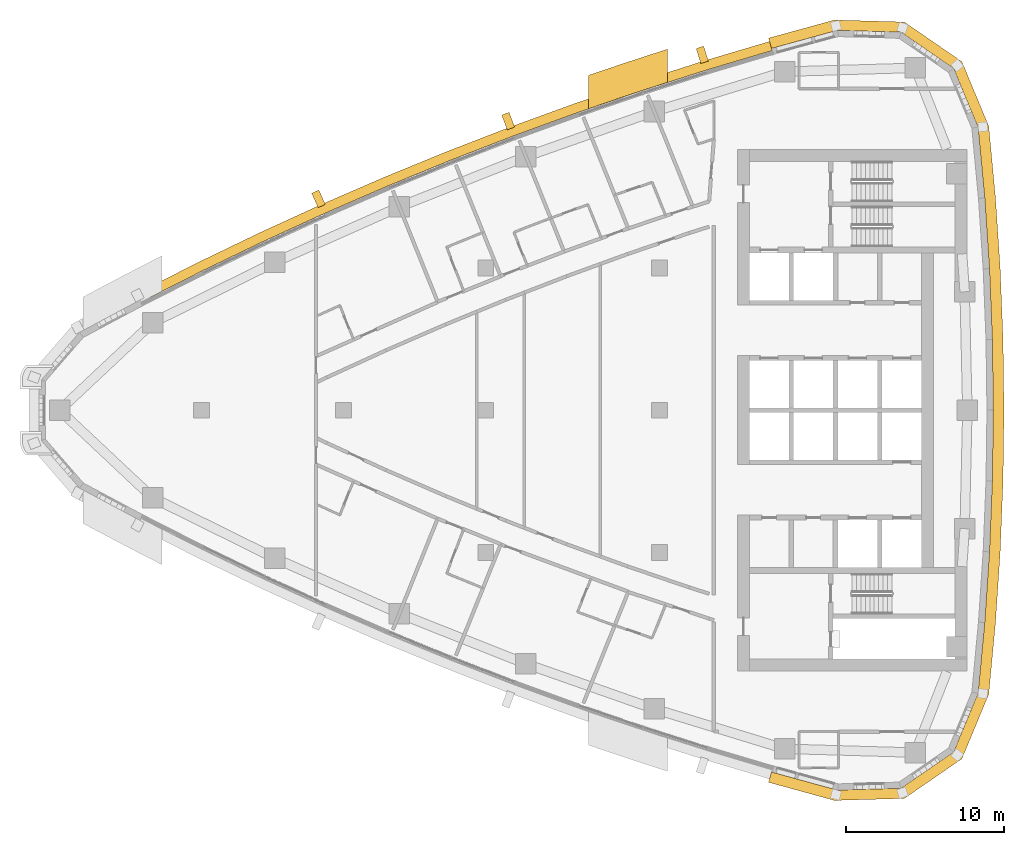
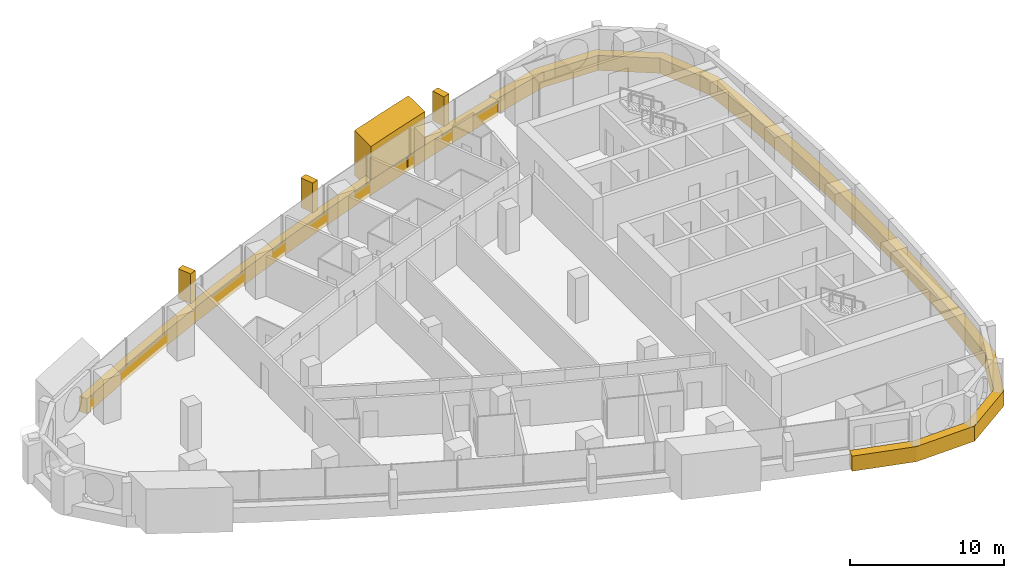
# One storey, part 16 of 17: 6 coverings.
"""IFC4 building model written with IfcOpenShell, lengths in metres."""

from ifc_helpers import new_model, si_unit, direction, frame, frame_2d, origin, place, context, subcontext, project, spatial, polyline, rectangle, outline, extrude, material, layer, layer_set, type_object, element, save


model = new_model("IFC4")

# Units and contexts
model_context = context("Model", 3, precision=1e-05, world=origin(), true_north=direction((0.0, 1.0)))
body_context = subcontext(model_context, "Body", "Model", "MODEL_VIEW")
ifc_project = project(units=[si_unit("LENGTHUNIT", "METRE"), si_unit("AREAUNIT", "SQUARE_METRE"), si_unit("VOLUMEUNIT", "CUBIC_METRE"), si_unit("PLANEANGLEUNIT", "RADIAN"), si_unit("MASSUNIT", "GRAM", prefix="KILO")], contexts=[model_context])

# Site, building, storey
site_placement = place(None, origin())
site = spatial("IfcSite", under=ifc_project, at=site_placement, CompositionType="ELEMENT")
building_placement = place(site_placement, origin())
building = spatial("IfcBuilding", under=site, at=building_placement, Name="Ostrand Prow Hotel Tower", CompositionType="ELEMENT")
storey_placement = place(building_placement, frame((0.0, 0.0, 207.449951171875)))
storey = spatial("IfcBuildingStorey", under=building, at=storey_placement, Name="L52", CompositionType="ELEMENT", Elevation=207.449951171875)

# Coverings
ifc_material_1 = material(Name="Bronze anodised aluminium cladding", Category="aluminium")
ifc_layer_1 = layer(ifc_material_1, 0.60009765625)
ifc_layer_set_1 = layer_set([ifc_layer_1], Name="Bronze anodised aluminium cladding")
covering_type_1 = type_object("IfcCoveringType", Name="Bronze spandrel band 1200x600", PredefinedType="CLADDING", material=ifc_layer_set_1)
covering_1_placement = place(storey_placement, frame((0.0, 0.0, -0.300048828125)))
element("IfcCovering", 1, at=covering_1_placement, inside=storey, type_object=covering_type_1, Name="Spandrel band N1", PredefinedType="CLADDING", context=body_context, shape_type="SweptSolid", body=[
    extrude(outline(polyline([(51.9736328125, 23.35009765625), (47.831787109375, 22.12060546875), (43.7158203125, 20.80810546875), (39.626708984375, 19.4130859375), (35.566650390625, 17.93603515625), (31.537353515625, 16.37744140625), (27.5400390625, 14.738037109375), (23.57666015625, 13.0185546875), (19.648681640625, 11.219482421875), (15.757568359375, 9.341796875), (11.9052734375, 7.38623046875), (12.18212890625, 6.85400390625), (16.023681640625, 8.80419921875), (19.90380859375, 10.676513671875), (23.821044921875, 12.470458984375), (27.773193359375, 14.185302734375), (31.759521484375, 15.820068359375), (35.777587890625, 17.374267578125), (39.826171875, 18.84716796875), (43.90380859375, 20.23828125), (48.00830078125, 21.547119140625), (52.138427734375, 22.773193359375), (51.9736328125, 23.35009765625)])), origin(), (0.0, 0.0, 1.0), 1.2001953125),
])
covering_2_placement = place(storey_placement, frame((0.0, 0.0, -0.300048828125)))
element("IfcCovering", 2, at=covering_2_placement, inside=storey, type_object=covering_type_1, Name="Spandrel band back 1", PredefinedType="CLADDING", context=body_context, shape_type="SweptSolid", body=[
    extrude(outline(polyline([(51.9130859375, -23.561767578125), (56.0830078125, -24.708740234375), (60.5087890625, -24.581787109375), (64.15625, -22.072021484375), (65.856201171875, -17.98388671875), (66.27783203125, -13.499267578125), (66.5791015625, -9.0048828125), (66.760009765625, -4.50390625), (66.8203125, 0.0), (66.760009765625, 4.50390625), (66.5791015625, 9.0048828125), (66.27783203125, 13.499267578125), (65.856201171875, 17.98388671875), (64.15625, 22.072021484375), (60.5087890625, 24.581787109375), (56.0830078125, 24.708740234375), (51.9130859375, 23.561767578125), (52.10009765625, 22.907958984375), (56.256591796875, 24.05126953125), (60.297607421875, 23.935302734375), (63.6279296875, 21.643798828125), (65.18017578125, 17.9111328125), (65.60009765625, 13.444580078125), (65.900146484375, 8.968505859375), (66.080078125, 4.48583984375), (66.140380859375, 0.0), (66.080078125, -4.48583984375), (65.900146484375, -8.968505859375), (65.60009765625, -13.444580078125), (65.18017578125, -17.9111328125), (63.6279296875, -21.643798828125), (60.297607421875, -23.935302734375), (56.256591796875, -24.05126953125), (52.10009765625, -22.907958984375), (51.9130859375, -23.561767578125)])), origin(), (0.0, 0.0, 1.0), 1.2001953125),
])
ifc_material_2 = material(Name="Limestone cladding", Category="masonry")
ifc_layer_2 = layer(ifc_material_2, 5.0)
ifc_layer_set_2 = layer_set([ifc_layer_2], Name="Limestone cladding")
covering_type_2 = type_object("IfcCoveringType", Name="Portal jamb pilaster limestone", PredefinedType="CLADDING", material=ifc_layer_set_2)
covering_3_placement = place(storey_placement, origin())
element("IfcCovering", 3, at=covering_3_placement, inside=storey, type_object=covering_type_2, Name="Portal jamb NB L52", PredefinedType="CLADDING", context=body_context, shape_type="SweptSolid", body=[
    extrude(outline(polyline([(40.5, 19.08349609375), (41.5, 19.429443359375), (42.5, 19.769775390625), (43.5, 20.104736328125), (44.5, 20.43408203125), (45.5, 20.75830078125), (45.5, 22.85791015625), (44.5, 22.537109375), (43.5, 22.211181640625), (42.5, 21.879638671875), (41.5, 21.542724609375), (40.5, 21.200439453125), (40.5, 19.08349609375)])), origin(), (0.0, 0.0, 1.0), 3.550048828125),
])
ifc_material_3 = material(Name="Limestone cladding", Category="masonry")
ifc_layer_3 = layer(ifc_material_3, 0.5)
ifc_layer_set_3 = layer_set([ifc_layer_3], Name="Limestone cladding")
covering_type_3 = type_object("IfcCoveringType", Name="Precast stone fin 500x900", PredefinedType="CLADDING", material=ifc_layer_set_3)
covering_4_placement = place(storey_placement, frame((47.861083984375, 22.025146484375, 0.900146484375), z_axis=(0.0, 0.0, 1.0), x_axis=(-0.294017207984, 0.955800126287, 0.0)))
element("IfcCovering", 4, at=covering_4_placement, inside=storey, type_object=covering_type_3, Name="Stone fin N 2", PredefinedType="CLADDING", context=body_context, shape_type="SweptSolid", body=[
    extrude(rectangle(XDim=0.999755859375, YDim=0.5, at=frame_2d((0.5, 0.0))), origin(), (0.0, 0.0, 1.0), 2.349853515625),
])
for number, where, z_axis, x_axis, name in (
    (5, (35.601806640625, 17.84228515625, 0.900146484375), (0.0, 0.0, 1.0), (-0.351310716449, 0.936258928133, 0.0), "Stone fin N 5"),
    (6, (23.6171875, 12.92724609375, 0.900146484375), (0.0, 0.0, 1.0), (-0.407021798392, 0.913418444982, 0.0), "Stone fin N 8"),
):
    element("IfcCovering", number, at=place(storey_placement, frame(where, z_axis=z_axis, x_axis=x_axis)), inside=storey, type_object=covering_type_3, Name=name, PredefinedType="CLADDING", context=body_context, shape_type="SweptSolid", body=[
        extrude(rectangle(XDim=1.0, YDim=0.5, at=frame_2d((0.5, 0.0))), origin(), (0.0, 0.0, 1.0), 2.349853515625),
    ])

save(model, "model.ifc")
